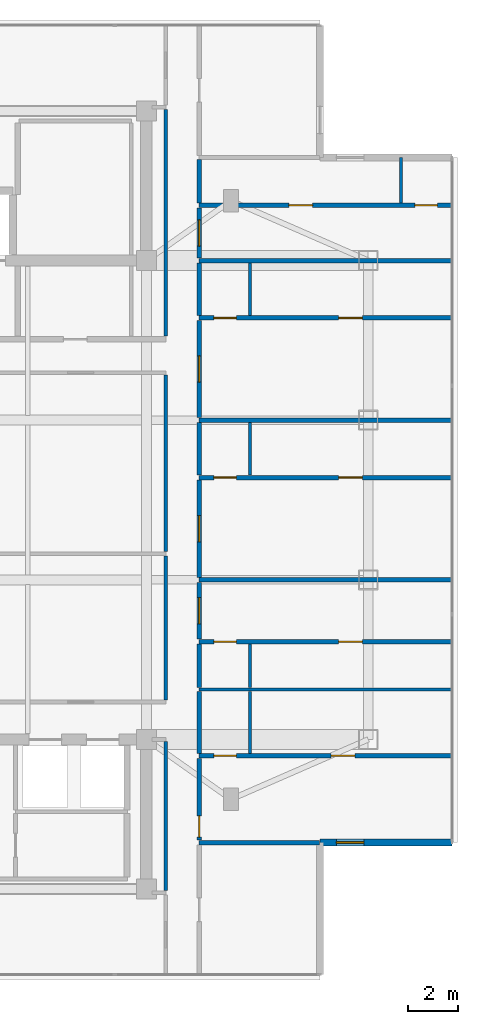
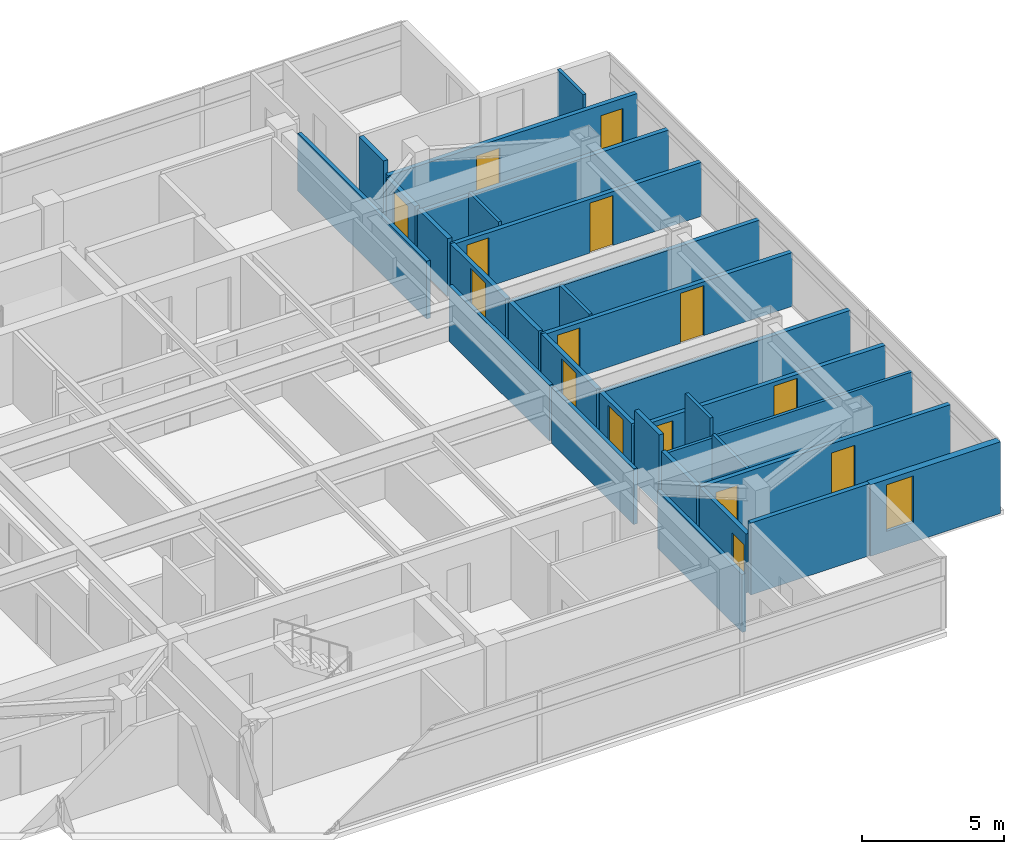
# One storey, part 10 of 14: 30 walls, 15 doors, 1 window, 16 openings.
"""IFC4 building model written with IfcOpenShell, lengths in metres."""

from ifc_helpers import new_model, si_unit, direction, frame, frame_2d, origin, place, context, subcontext, project, spatial, rectangle, extrude, material, layer, layer_set, type_object, element, fill, save


model = new_model("IFC4")

# Units and contexts
model_context = context("Model", 3, precision=1e-05, world=origin(), true_north=direction((0.0, 1.0)))
body_context = subcontext(model_context, "Body", "Model", "MODEL_VIEW")
ifc_project = project(units=[si_unit("LENGTHUNIT", "METRE"), si_unit("AREAUNIT", "SQUARE_METRE"), si_unit("VOLUMEUNIT", "CUBIC_METRE"), si_unit("PLANEANGLEUNIT", "RADIAN"), si_unit("MASSUNIT", "GRAM", prefix="KILO")], contexts=[model_context])

# Site, building, storey
site_placement = place(None, origin())
site = spatial("IfcSite", under=ifc_project, at=site_placement, CompositionType="ELEMENT")
building_placement = place(site_placement, origin())
building = spatial("IfcBuilding", under=site, at=building_placement, Name="Mirazonda Arch Towers", CompositionType="ELEMENT")
storey_placement = place(building_placement, frame((0.0, 0.0, 239.199951171875)))
storey = spatial("IfcBuildingStorey", under=building, at=storey_placement, Name="L68", CompositionType="ELEMENT", Elevation=239.199951171875)

# Wall, opening, window
ifc_material_1 = material(Name="Precast Concrete C40/50", Category="concrete")
ifc_layer_1 = layer(ifc_material_1, 0.280029296875, Name="WALL-EXT-WALL-280")
ifc_layer_set_1 = layer_set([ifc_layer_1], Name="Precast Concrete C40/50")
wall_type_1 = type_object("IfcWallType", Name="WALL-EXT-WALL-280", PredefinedType="SOLIDWALL", material=ifc_layer_set_1)
wall_1_placement = place(storey_placement, frame((36.969970703125, 14.261962890625, 0.0), z_axis=(0.0, 0.0, 1.0), x_axis=(1.0, 0.0, 0.0)))
wall_1 = element("IfcWall", 1, at=wall_1_placement, inside=storey, type_object=wall_type_1, Name="L68 T1 Corner Notch Return Wall WL-L68-T1-CSE1", PredefinedType="SOLIDWALL", context=body_context, shape_type="SweptSolid", body=[
    extrude(rectangle(XDim=5.2900390625, YDim=0.280029296875, at=frame_2d((2.64501953125, 0.0))), origin(), (0.0, 0.0, 1.0), 3.080078125),
])
opening_1_placement = place(wall_1_placement, frame((0.64990234375, 0.0, 0.85009765625)))
opening_1 = element("IfcOpeningElement", 2, at=opening_1_placement, cuts=wall_1, Name="Opening WN-108", PredefinedType="OPENING", context=body_context, shape_type="SweptSolid", body=[
    extrude(rectangle(XDim=1.10009765625, YDim=2.0, at=frame_2d((0.550048828125, 1.0))), frame((0.0, 0.14990234375, 0.0), z_axis=(0.0, -1.0, 0.0), x_axis=(1.0, 0.0, 0.0)), (0.0, 0.0, 1.0), 0.300048828125),
])
ifc_material_2 = material(Name="Insulated Low-E Solar Glass", Category="glass")
window_type = type_object("IfcWindowType", Name="WIN-NOTCH-1100x2000", PartitioningType="SINGLE_PANEL", PredefinedType="WINDOW", material=ifc_material_2)
window_placement = place(opening_1_placement, origin())
window = element("IfcWindow", 3, at=window_placement, inside=storey, type_object=window_type, Name="L68 Punched Facade Window WN-L68-T1-CSE1", OverallHeight=2.0, OverallWidth=1.10009765625, PartitioningType="SINGLE_PANEL", PredefinedType="WINDOW", context=body_context, shape_type="SweptSolid", body=[
    extrude(rectangle(XDim=1.10009765625, YDim=2.0, at=frame_2d((0.550048828125, 1.0))), frame((0.0, 0.030029296875, 0.0), z_axis=(0.0, -1.0, 0.0), x_axis=(1.0, 0.0, 0.0)), (0.0, 0.0, 1.0), 0.06005859375),
])
fill(opening_1, window)

# Walls
ifc_material_3 = material(Name="Fire-Rated Gypsum Stud Partition")
ifc_layer_2 = layer(ifc_material_3, 0.14990234375, Name="WALL-PART-CORR-150")
ifc_layer_set_2 = layer_set([ifc_layer_2], Name="Fire-Rated Gypsum Stud Partition")
wall_type_2 = type_object("IfcWallType", Name="WALL-PART-CORR-150", PredefinedType="PARTITIONING", material=ifc_layer_set_2)
wall_2_placement = place(storey_placement, frame((30.780029296875, 12.3349609375, 0.0), z_axis=(0.0, 0.0, 1.0), x_axis=(0.0, 1.0, 0.0)))
element("IfcWall", 4, at=wall_2_placement, inside=storey, type_object=wall_type_2, Name="L68 Interior Partition 087", PredefinedType="PARTITIONING", context=body_context, shape_type="SweptSolid", body=[
    extrude(rectangle(XDim=5.97998046875, YDim=0.14990234375, at=frame_2d((2.989990234375, 0.0))), origin(), (0.0, 0.0, 1.0), 2.491943359375),
])
wall_3_placement = place(storey_placement, frame((30.780029296875, 19.985107421875, 0.0), z_axis=(0.0, 0.0, 1.0), x_axis=(0.0, 1.0, 0.0)))
element("IfcWall", 5, at=wall_3_placement, inside=storey, type_object=wall_type_2, Name="L68 Interior Partition 088", PredefinedType="PARTITIONING", context=body_context, shape_type="SweptSolid", body=[
    extrude(rectangle(XDim=5.769775390625, YDim=0.14990234375, at=frame_2d((2.884765625, 0.0))), origin(), (0.0, 0.0, 1.0), 2.39599609375),
])
wall_4_placement = place(storey_placement, frame((30.780029296875, 25.925048828125, 0.0), z_axis=(0.0, 0.0, 1.0), x_axis=(0.0, 1.0, 0.0)))
element("IfcWall", 6, at=wall_4_placement, inside=storey, type_object=wall_type_2, Name="L68 Interior Partition 089", PredefinedType="PARTITIONING", context=body_context, shape_type="SweptSolid", body=[
    extrude(rectangle(XDim=7.08984375, YDim=0.14990234375, at=frame_2d((3.544921875, 0.0))), origin(), (0.0, 0.0, 1.0), 2.39599609375),
])
wall_5_placement = place(storey_placement, frame((30.780029296875, 34.570068359375, 0.0), z_axis=(0.0, 0.0, 1.0), x_axis=(0.0, 1.0, 0.0)))
element("IfcWall", 7, at=wall_5_placement, inside=storey, type_object=wall_type_2, Name="L68 Interior Partition 090", PredefinedType="PARTITIONING", context=body_context, shape_type="SweptSolid", body=[
    extrude(rectangle(XDim=9.094970703125, YDim=0.14990234375, at=frame_2d((4.54736328125, 0.0))), origin(), (0.0, 0.0, 1.0), 2.491943359375),
])
ifc_material_4 = material(Name="Fire-Rated Gypsum Twin-Stud Assembly")
ifc_layer_3 = layer(ifc_material_4, 0.179931640625, Name="WALL-PART-DEMISE-180")
ifc_layer_set_3 = layer_set([ifc_layer_3], Name="Fire-Rated Gypsum Twin-Stud Assembly")
wall_type_3 = type_object("IfcWallType", Name="WALL-PART-DEMISE-180", PredefinedType="PARTITIONING", material=ifc_layer_set_3)
wall_6_placement = place(storey_placement, frame((32.1201171875, 14.261962890625, 0.0), z_axis=(0.0, 0.0, 1.0), x_axis=(1.0, 0.0, 0.0)))
element("IfcWall", 8, at=wall_6_placement, inside=storey, type_object=wall_type_3, Name="L68 Interior Partition 006", PredefinedType="PARTITIONING", context=body_context, shape_type="SweptSolid", body=[
    extrude(rectangle(XDim=4.829833984375, YDim=0.179931640625, at=frame_2d((2.4150390625, 0.0))), origin(), (0.0, 0.0, 1.0), 3.10009765625),
])

# Wall, openings, doors
wall_7_placement = place(storey_placement, frame((32.1201171875, 17.739990234375, 0.0), z_axis=(0.0, 0.0, 1.0), x_axis=(1.0, 0.0, 0.0)))
wall_7 = element("IfcWall", 9, at=wall_7_placement, inside=storey, type_object=wall_type_3, Name="L68 Interior Partition 010", PredefinedType="PARTITIONING", context=body_context, shape_type="SweptSolid", body=[
    extrude(rectangle(XDim=10.139892578125, YDim=0.179931640625, at=frame_2d((5.06982421875, 0.0))), origin(), (0.0, 0.0, 1.0), 2.54296875),
])
opening_2_placement = place(wall_7_placement, frame((5.294921875, 0.0, 0.0)))
opening_2 = element("IfcOpeningElement", 10, at=opening_2_placement, cuts=wall_7, Name="Opening DR-104", PredefinedType="OPENING", context=body_context, shape_type="SweptSolid", body=[
    extrude(rectangle(XDim=0.949951171875, YDim=2.14990234375, at=frame_2d((0.47509765625, 1.074951171875))), frame((0.0, 0.099853515625, 0.0), z_axis=(0.0, -1.0, 0.0), x_axis=(1.0, 0.0, 0.0)), (0.0, 0.0, 1.0), 0.199951171875),
])
opening_3_placement = place(wall_7_placement, frame((0.590087890625, 0.0, 0.0)))
opening_3 = element("IfcOpeningElement", 11, at=opening_3_placement, cuts=wall_7, Name="Opening DR-120", PredefinedType="OPENING", context=body_context, shape_type="SweptSolid", body=[
    extrude(rectangle(XDim=0.89990234375, YDim=2.10009765625, at=frame_2d((0.449951171875, 1.050048828125))), frame((0.0, 0.099853515625, 0.0), z_axis=(0.0, -1.0, 0.0), x_axis=(1.0, 0.0, 0.0)), (0.0, 0.0, 1.0), 0.199951171875),
])
ifc_material_5 = material(Name="Architectural Brushed Steel S355", Category="steel")
door_type_1 = type_object("IfcDoorType", Name="DOOR-ROOM-950", OperationType="NOTDEFINED", PredefinedType="DOOR", material=ifc_material_5)
door_1_placement = place(opening_2_placement, origin())
door_1 = element("IfcDoor", 12, at=door_1_placement, inside=storey, type_object=door_type_1, Name="L68 Studio 1 Galley Kitchen Door", OperationType="SINGLE_SWING_RIGHT", OverallHeight=2.14990234375, OverallWidth=0.949951171875, PredefinedType="DOOR", context=body_context, shape_type="SweptSolid", body=[
    extrude(rectangle(XDim=0.949951171875, YDim=2.14990234375, at=frame_2d((0.47509765625, 1.074951171875))), frame((0.0, 0.02490234375, 0.0), z_axis=(0.0, -1.0, 0.0), x_axis=(1.0, 0.0, 0.0)), (0.0, 0.0, 1.0), 0.050048828125),
])
fill(opening_2, door_1)
door_type_2 = type_object("IfcDoorType", Name="DOOR-WC-900", OperationType="NOTDEFINED", PredefinedType="DOOR", material=ifc_material_5)
door_2_placement = place(opening_3_placement, origin())
door_2 = element("IfcDoor", 13, at=door_2_placement, inside=storey, type_object=door_type_2, Name="L68 Studio 1 Bathroom Door", OperationType="SINGLE_SWING_LEFT", OverallHeight=2.10009765625, OverallWidth=0.89990234375, PredefinedType="DOOR", context=body_context, shape_type="SweptSolid", body=[
    extrude(rectangle(XDim=0.89990234375, YDim=2.10009765625, at=frame_2d((0.449951171875, 1.050048828125))), frame((0.0, 0.02490234375, 0.0), z_axis=(0.0, -1.0, 0.0), x_axis=(1.0, 0.0, 0.0)), (0.0, 0.0, 1.0), 0.050048828125),
])
fill(opening_3, door_2)

wall_8_placement = place(storey_placement, frame((32.1201171875, 22.320068359375, 0.0), z_axis=(0.0, 0.0, 1.0), x_axis=(1.0, 0.0, 0.0)))
wall_8 = element("IfcWall", 14, at=wall_8_placement, inside=storey, type_object=wall_type_3, Name="L68 Interior Partition 016", PredefinedType="PARTITIONING", context=body_context, shape_type="SweptSolid", body=[
    extrude(rectangle(XDim=10.139892578125, YDim=0.179931640625, at=frame_2d((5.06982421875, 0.0))), origin(), (0.0, 0.0, 1.0), 2.319091796875),
])
opening_4_placement = place(wall_8_placement, frame((5.594970703125, 0.0, 0.0)))
opening_4 = element("IfcOpeningElement", 15, at=opening_4_placement, cuts=wall_8, Name="Opening DR-104", PredefinedType="OPENING", context=body_context, shape_type="SweptSolid", body=[
    extrude(rectangle(XDim=0.949951171875, YDim=2.14990234375, at=frame_2d((0.47509765625, 1.074951171875))), frame((0.0, 0.099853515625, 0.0), z_axis=(0.0, -1.0, 0.0), x_axis=(1.0, 0.0, 0.0)), (0.0, 0.0, 1.0), 0.199951171875),
])
opening_5_placement = place(wall_8_placement, frame((0.590087890625, 0.0, 0.0)))
opening_5 = element("IfcOpeningElement", 16, at=opening_5_placement, cuts=wall_8, Name="Opening DR-120", PredefinedType="OPENING", context=body_context, shape_type="SweptSolid", body=[
    extrude(rectangle(XDim=0.89990234375, YDim=2.10009765625, at=frame_2d((0.449951171875, 1.050048828125))), frame((0.0, 0.099853515625, 0.0), z_axis=(0.0, -1.0, 0.0), x_axis=(1.0, 0.0, 0.0)), (0.0, 0.0, 1.0), 0.199951171875),
])
door_3_placement = place(opening_4_placement, origin())
door_3 = element("IfcDoor", 17, at=door_3_placement, inside=storey, type_object=door_type_1, Name="L68 Studio 2 Galley Kitchen Door", OperationType="SINGLE_SWING_LEFT", OverallHeight=2.14990234375, OverallWidth=0.949951171875, PredefinedType="DOOR", context=body_context, shape_type="SweptSolid", body=[
    extrude(rectangle(XDim=0.949951171875, YDim=2.14990234375, at=frame_2d((0.47509765625, 1.074951171875))), frame((0.0, 0.02490234375, 0.0), z_axis=(0.0, -1.0, 0.0), x_axis=(1.0, 0.0, 0.0)), (0.0, 0.0, 1.0), 0.050048828125),
])
fill(opening_4, door_3)
door_4_placement = place(opening_5_placement, origin())
door_4 = element("IfcDoor", 18, at=door_4_placement, inside=storey, type_object=door_type_2, Name="L68 Studio 2 Bathroom Door", OperationType="SINGLE_SWING_RIGHT", OverallHeight=2.10009765625, OverallWidth=0.89990234375, PredefinedType="DOOR", context=body_context, shape_type="SweptSolid", body=[
    extrude(rectangle(XDim=0.89990234375, YDim=2.10009765625, at=frame_2d((0.449951171875, 1.050048828125))), frame((0.0, 0.02490234375, 0.0), z_axis=(0.0, -1.0, 0.0), x_axis=(1.0, 0.0, 0.0)), (0.0, 0.0, 1.0), 0.050048828125),
])
fill(opening_5, door_4)

# Wall
wall_9_placement = place(storey_placement, frame((32.1201171875, 24.800048828125, 0.0), z_axis=(0.0, 0.0, 1.0), x_axis=(1.0, 0.0, 0.0)))
element("IfcWall", 19, at=wall_9_placement, inside=storey, type_object=wall_type_3, Name="L68 Interior Partition 018", PredefinedType="PARTITIONING", context=body_context, shape_type="SweptSolid", body=[
    extrude(rectangle(XDim=10.139892578125, YDim=0.179931640625, at=frame_2d((5.06982421875, 0.0))), origin(), (0.0, 0.0, 1.0), 2.319091796875),
])

# Wall, openings, doors
wall_10_placement = place(storey_placement, frame((32.1201171875, 28.89990234375, 0.0), z_axis=(0.0, 0.0, 1.0), x_axis=(1.0, 0.0, 0.0)))
wall_10 = element("IfcWall", 20, at=wall_10_placement, inside=storey, type_object=wall_type_3, Name="L68 Interior Partition 021", PredefinedType="PARTITIONING", context=body_context, shape_type="SweptSolid", body=[
    extrude(rectangle(XDim=10.139892578125, YDim=0.179931640625, at=frame_2d((5.06982421875, 0.0))), origin(), (0.0, 0.0, 1.0), 2.319091796875),
])
opening_6_placement = place(wall_10_placement, frame((5.594970703125, 0.0, 0.0)))
opening_6 = element("IfcOpeningElement", 21, at=opening_6_placement, cuts=wall_10, Name="Opening DR-104", PredefinedType="OPENING", context=body_context, shape_type="SweptSolid", body=[
    extrude(rectangle(XDim=0.949951171875, YDim=2.14990234375, at=frame_2d((0.47509765625, 1.074951171875))), frame((0.0, 0.099853515625, 0.0), z_axis=(0.0, -1.0, 0.0), x_axis=(1.0, 0.0, 0.0)), (0.0, 0.0, 1.0), 0.199951171875),
])
opening_7_placement = place(wall_10_placement, frame((0.590087890625, 0.0, 0.0)))
opening_7 = element("IfcOpeningElement", 22, at=opening_7_placement, cuts=wall_10, Name="Opening DR-120", PredefinedType="OPENING", context=body_context, shape_type="SweptSolid", body=[
    extrude(rectangle(XDim=0.89990234375, YDim=2.10009765625, at=frame_2d((0.449951171875, 1.050048828125))), frame((0.0, 0.099853515625, 0.0), z_axis=(0.0, -1.0, 0.0), x_axis=(1.0, 0.0, 0.0)), (0.0, 0.0, 1.0), 0.199951171875),
])
door_5_placement = place(opening_6_placement, origin())
door_5 = element("IfcDoor", 23, at=door_5_placement, inside=storey, type_object=door_type_1, Name="L68 Studio 3 Galley Kitchen Door", OperationType="SINGLE_SWING_RIGHT", OverallHeight=2.14990234375, OverallWidth=0.949951171875, PredefinedType="DOOR", context=body_context, shape_type="SweptSolid", body=[
    extrude(rectangle(XDim=0.949951171875, YDim=2.14990234375, at=frame_2d((0.47509765625, 1.074951171875))), frame((0.0, 0.02490234375, 0.0), z_axis=(0.0, -1.0, 0.0), x_axis=(1.0, 0.0, 0.0)), (0.0, 0.0, 1.0), 0.050048828125),
])
fill(opening_6, door_5)
door_6_placement = place(opening_7_placement, origin())
door_6 = element("IfcDoor", 24, at=door_6_placement, inside=storey, type_object=door_type_2, Name="L68 Studio 3 Bathroom Door", OperationType="SINGLE_SWING_LEFT", OverallHeight=2.10009765625, OverallWidth=0.89990234375, PredefinedType="DOOR", context=body_context, shape_type="SweptSolid", body=[
    extrude(rectangle(XDim=0.89990234375, YDim=2.10009765625, at=frame_2d((0.449951171875, 1.050048828125))), frame((0.0, 0.02490234375, 0.0), z_axis=(0.0, -1.0, 0.0), x_axis=(1.0, 0.0, 0.0)), (0.0, 0.0, 1.0), 0.050048828125),
])
fill(opening_7, door_6)

# Wall
wall_11_placement = place(storey_placement, frame((32.1201171875, 31.199951171875, 0.0), z_axis=(0.0, 0.0, 1.0), x_axis=(1.0, 0.0, 0.0)))
element("IfcWall", 25, at=wall_11_placement, inside=storey, type_object=wall_type_3, Name="L68 Interior Partition 023", PredefinedType="PARTITIONING", context=body_context, shape_type="SweptSolid", body=[
    extrude(rectangle(XDim=10.139892578125, YDim=0.179931640625, at=frame_2d((5.06982421875, 0.0))), origin(), (0.0, 0.0, 1.0), 2.319091796875),
])

# Wall, openings, doors
wall_12_placement = place(storey_placement, frame((32.1201171875, 35.300048828125, 0.0), z_axis=(0.0, 0.0, 1.0), x_axis=(1.0, 0.0, 0.0)))
wall_12 = element("IfcWall", 26, at=wall_12_placement, inside=storey, type_object=wall_type_3, Name="L68 Interior Partition 028", PredefinedType="PARTITIONING", context=body_context, shape_type="SweptSolid", body=[
    extrude(rectangle(XDim=10.139892578125, YDim=0.179931640625, at=frame_2d((5.06982421875, 0.0))), origin(), (0.0, 0.0, 1.0), 2.319091796875),
])
opening_8_placement = place(wall_12_placement, frame((5.594970703125, 0.0, 0.0)))
opening_8 = element("IfcOpeningElement", 27, at=opening_8_placement, cuts=wall_12, Name="Opening DR-104", PredefinedType="OPENING", context=body_context, shape_type="SweptSolid", body=[
    extrude(rectangle(XDim=0.949951171875, YDim=2.14990234375, at=frame_2d((0.47509765625, 1.074951171875))), frame((0.0, 0.099853515625, 0.0), z_axis=(0.0, -1.0, 0.0), x_axis=(1.0, 0.0, 0.0)), (0.0, 0.0, 1.0), 0.199951171875),
])
opening_9_placement = place(wall_12_placement, frame((0.590087890625, 0.0, 0.0)))
opening_9 = element("IfcOpeningElement", 28, at=opening_9_placement, cuts=wall_12, Name="Opening DR-120", PredefinedType="OPENING", context=body_context, shape_type="SweptSolid", body=[
    extrude(rectangle(XDim=0.89990234375, YDim=2.10009765625, at=frame_2d((0.449951171875, 1.050048828125))), frame((0.0, 0.099853515625, 0.0), z_axis=(0.0, -1.0, 0.0), x_axis=(1.0, 0.0, 0.0)), (0.0, 0.0, 1.0), 0.199951171875),
])
door_7_placement = place(opening_8_placement, origin())
door_7 = element("IfcDoor", 29, at=door_7_placement, inside=storey, type_object=door_type_1, Name="L68 Studio 4 Galley Kitchen Door", OperationType="SINGLE_SWING_LEFT", OverallHeight=2.14990234375, OverallWidth=0.949951171875, PredefinedType="DOOR", context=body_context, shape_type="SweptSolid", body=[
    extrude(rectangle(XDim=0.949951171875, YDim=2.14990234375, at=frame_2d((0.47509765625, 1.074951171875))), frame((0.0, 0.02490234375, 0.0), z_axis=(0.0, -1.0, 0.0), x_axis=(1.0, 0.0, 0.0)), (0.0, 0.0, 1.0), 0.050048828125),
])
fill(opening_8, door_7)
door_8_placement = place(opening_9_placement, origin())
door_8 = element("IfcDoor", 30, at=door_8_placement, inside=storey, type_object=door_type_2, Name="L68 Studio 4 Bathroom Door", OperationType="SINGLE_SWING_RIGHT", OverallHeight=2.10009765625, OverallWidth=0.89990234375, PredefinedType="DOOR", context=body_context, shape_type="SweptSolid", body=[
    extrude(rectangle(XDim=0.89990234375, YDim=2.10009765625, at=frame_2d((0.449951171875, 1.050048828125))), frame((0.0, 0.02490234375, 0.0), z_axis=(0.0, -1.0, 0.0), x_axis=(1.0, 0.0, 0.0)), (0.0, 0.0, 1.0), 0.050048828125),
])
fill(opening_9, door_8)

# Wall
wall_13_placement = place(storey_placement, frame((32.1201171875, 37.60009765625, 0.0), z_axis=(0.0, 0.0, 1.0), x_axis=(1.0, 0.0, 0.0)))
element("IfcWall", 31, at=wall_13_placement, inside=storey, type_object=wall_type_3, Name="L68 Interior Partition 030", PredefinedType="PARTITIONING", context=body_context, shape_type="SweptSolid", body=[
    extrude(rectangle(XDim=10.139892578125, YDim=0.179931640625, at=frame_2d((5.06982421875, 0.0))), origin(), (0.0, 0.0, 1.0), 2.319091796875),
])

# Wall, openings, doors
wall_14_placement = place(storey_placement, frame((32.1201171875, 39.818115234375, 0.0), z_axis=(0.0, 0.0, 1.0), x_axis=(1.0, 0.0, 0.0)))
wall_14 = element("IfcWall", 32, at=wall_14_placement, inside=storey, type_object=wall_type_3, Name="L68 Interior Partition 032", PredefinedType="PARTITIONING", context=body_context, shape_type="SweptSolid", body=[
    extrude(rectangle(XDim=10.139892578125, YDim=0.179931640625, at=frame_2d((5.06982421875, 0.0))), origin(), (0.0, 0.0, 1.0), 2.54296875),
])
opening_10_placement = place(wall_14_placement, frame((3.594970703125, 0.0, 0.0)))
opening_10 = element("IfcOpeningElement", 33, at=opening_10_placement, cuts=wall_14, Name="Opening DR-104", PredefinedType="OPENING", context=body_context, shape_type="SweptSolid", body=[
    extrude(rectangle(XDim=0.949951171875, YDim=2.14990234375, at=frame_2d((0.47509765625, 1.074951171875))), frame((0.0, 0.099853515625, 0.0), z_axis=(0.0, -1.0, 0.0), x_axis=(1.0, 0.0, 0.0)), (0.0, 0.0, 1.0), 0.199951171875),
])
opening_11_placement = place(wall_14_placement, frame((8.64990234375, 0.0, 0.0)))
opening_11 = element("IfcOpeningElement", 34, at=opening_11_placement, cuts=wall_14, Name="Opening DR-120", PredefinedType="OPENING", context=body_context, shape_type="SweptSolid", body=[
    extrude(rectangle(XDim=0.89990234375, YDim=2.10009765625, at=frame_2d((0.449951171875, 1.050048828125))), frame((0.0, 0.099853515625, 0.0), z_axis=(0.0, -1.0, 0.0), x_axis=(1.0, 0.0, 0.0)), (0.0, 0.0, 1.0), 0.199951171875),
])
door_9_placement = place(opening_10_placement, origin())
door_9 = element("IfcDoor", 35, at=door_9_placement, inside=storey, type_object=door_type_1, Name="L68 Studio 5 Galley Kitchen Door", OperationType="SINGLE_SWING_RIGHT", OverallHeight=2.14990234375, OverallWidth=0.949951171875, PredefinedType="DOOR", context=body_context, shape_type="SweptSolid", body=[
    extrude(rectangle(XDim=0.949951171875, YDim=2.14990234375, at=frame_2d((0.47509765625, 1.074951171875))), frame((0.0, 0.02490234375, 0.0), z_axis=(0.0, -1.0, 0.0), x_axis=(1.0, 0.0, 0.0)), (0.0, 0.0, 1.0), 0.050048828125),
])
fill(opening_10, door_9)
door_10_placement = place(opening_11_placement, origin())
door_10 = element("IfcDoor", 36, at=door_10_placement, inside=storey, type_object=door_type_2, Name="L68 Studio 5 Bathroom Door", OperationType="SINGLE_SWING_LEFT", OverallHeight=2.10009765625, OverallWidth=0.89990234375, PredefinedType="DOOR", context=body_context, shape_type="SweptSolid", body=[
    extrude(rectangle(XDim=0.89990234375, YDim=2.10009765625, at=frame_2d((0.449951171875, 1.050048828125))), frame((0.0, 0.02490234375, 0.0), z_axis=(0.0, -1.0, 0.0), x_axis=(1.0, 0.0, 0.0)), (0.0, 0.0, 1.0), 0.050048828125),
])
fill(opening_11, door_10)

# Wall, opening, door
wall_15_placement = place(storey_placement, frame((32.1201171875, 14.362060546875, 0.0), z_axis=(0.0, 0.0, 1.0), x_axis=(0.0, 1.0, 0.0)))
wall_15 = element("IfcWall", 37, at=wall_15_placement, inside=storey, type_object=wall_type_3, Name="L68 Interior Partition 093", PredefinedType="PARTITIONING", context=body_context, shape_type="SweptSolid", body=[
    extrude(rectangle(XDim=3.27783203125, YDim=0.179931640625, at=frame_2d((1.638916015625, 0.0))), origin(), (0.0, 0.0, 1.0), 2.54296875),
])
opening_12_placement = place(wall_15_placement, frame((0.1201171875, 0.0, 0.0)))
opening_12 = element("IfcOpeningElement", 38, at=opening_12_placement, cuts=wall_15, Name="Opening DR-128", PredefinedType="OPENING", context=body_context, shape_type="SweptSolid", body=[
    extrude(rectangle(XDim=0.85009765625, YDim=2.010009765625, at=frame_2d((0.425048828125, 1.0048828125))), frame((0.0, 0.099853515625, 0.0), z_axis=(0.0, -1.0, 0.0), x_axis=(1.0, 0.0, 0.0)), (0.0, 0.0, 1.0), 0.199951171875),
])
door_type_3 = type_object("IfcDoorType", Name="DOOR-RISER-FD60-850", OperationType="NOTDEFINED", PredefinedType="DOOR", material=ifc_material_5)
door_11_placement = place(opening_12_placement, origin())
door_11 = element("IfcDoor", 39, at=door_11_placement, inside=storey, type_object=door_type_3, Name="L68 Studio Apartment 1 Living Salon Door", OperationType="SINGLE_SWING_LEFT", OverallHeight=2.010009765625, OverallWidth=0.85009765625, PredefinedType="DOOR", context=body_context, shape_type="SweptSolid", body=[
    extrude(rectangle(XDim=0.85009765625, YDim=2.010009765625, at=frame_2d((0.425048828125, 1.0048828125))), frame((0.0, 0.02490234375, 0.0), z_axis=(0.0, -1.0, 0.0), x_axis=(1.0, 0.0, 0.0)), (0.0, 0.0, 1.0), 0.050048828125),
])
fill(opening_12, door_11)

# Walls
wall_16_placement = place(storey_placement, frame((32.1201171875, 17.840087890625, 0.0), z_axis=(0.0, 0.0, 1.0), x_axis=(0.0, 1.0, 0.0)))
element("IfcWall", 40, at=wall_16_placement, inside=storey, type_object=wall_type_3, Name="L68 Interior Partition 094", PredefinedType="PARTITIONING", context=body_context, shape_type="SweptSolid", body=[
    extrude(rectangle(XDim=2.4873046875, YDim=0.179931640625, at=frame_2d((1.24365234375, 0.0))), origin(), (0.0, 0.0, 1.0), 2.491943359375),
])
wall_17_placement = place(storey_placement, frame((32.1201171875, 20.472412109375, 0.0), z_axis=(0.0, 0.0, 1.0), x_axis=(0.0, 1.0, 0.0)))
element("IfcWall", 41, at=wall_17_placement, inside=storey, type_object=wall_type_3, Name="L68 Interior Partition 095", PredefinedType="PARTITIONING", context=body_context, shape_type="SweptSolid", body=[
    extrude(rectangle(XDim=1.74755859375, YDim=0.179931640625, at=frame_2d((0.873779296875, 0.0))), origin(), (0.0, 0.0, 1.0), 3.10009765625),
])

# Wall, opening, door
wall_18_placement = place(storey_placement, frame((32.1201171875, 22.419921875, 0.0), z_axis=(0.0, 0.0, 1.0), x_axis=(0.0, 1.0, 0.0)))
wall_18 = element("IfcWall", 42, at=wall_18_placement, inside=storey, type_object=wall_type_3, Name="L68 Interior Partition 096", PredefinedType="PARTITIONING", context=body_context, shape_type="SweptSolid", body=[
    extrude(rectangle(XDim=2.280029296875, YDim=0.179931640625, at=frame_2d((1.14013671875, 0.0))), origin(), (0.0, 0.0, 1.0), 2.39599609375),
])
opening_13_placement = place(wall_18_placement, frame((0.614990234375, 0.0, 0.0)))
opening_13 = element("IfcOpeningElement", 43, at=opening_13_placement, cuts=wall_18, Name="Opening DR-121", PredefinedType="OPENING", context=body_context, shape_type="SweptSolid", body=[
    extrude(rectangle(XDim=1.050048828125, YDim=2.199951171875, at=frame_2d((0.52490234375, 1.10009765625))), frame((0.0, 0.099853515625, 0.0), z_axis=(0.0, -1.0, 0.0), x_axis=(1.0, 0.0, 0.0)), (0.0, 0.0, 1.0), 0.199951171875),
])
door_type_4 = type_object("IfcDoorType", Name="DOOR-SUITE-FD60-1050", OperationType="NOTDEFINED", PredefinedType="DOOR", material=ifc_material_5)
door_12_placement = place(opening_13_placement, origin())
door_12 = element("IfcDoor", 44, at=door_12_placement, inside=storey, type_object=door_type_4, Name="L68 Studio Apartment 2 Living Salon Door", OperationType="SINGLE_SWING_RIGHT", OverallHeight=2.199951171875, OverallWidth=1.050048828125, PredefinedType="DOOR", context=body_context, shape_type="SweptSolid", body=[
    extrude(rectangle(XDim=1.050048828125, YDim=2.199951171875, at=frame_2d((0.52490234375, 1.10009765625))), frame((0.0, 0.02490234375, 0.0), z_axis=(0.0, -1.0, 0.0), x_axis=(1.0, 0.0, 0.0)), (0.0, 0.0, 1.0), 0.050048828125),
])
fill(opening_13, door_12)

wall_19_placement = place(storey_placement, frame((32.1201171875, 24.89990234375, 0.0), z_axis=(0.0, 0.0, 1.0), x_axis=(0.0, 1.0, 0.0)))
wall_19 = element("IfcWall", 45, at=wall_19_placement, inside=storey, type_object=wall_type_3, Name="L68 Interior Partition 097", PredefinedType="PARTITIONING", context=body_context, shape_type="SweptSolid", body=[
    extrude(rectangle(XDim=3.900146484375, YDim=0.179931640625, at=frame_2d((1.9501953125, 0.0))), origin(), (0.0, 0.0, 1.0), 2.39599609375),
])
opening_14_placement = place(wall_19_placement, frame((1.425048828125, 0.0, 0.0)))
opening_14 = element("IfcOpeningElement", 46, at=opening_14_placement, cuts=wall_19, Name="Opening DR-121", PredefinedType="OPENING", context=body_context, shape_type="SweptSolid", body=[
    extrude(rectangle(XDim=1.050048828125, YDim=2.199951171875, at=frame_2d((0.52490234375, 1.10009765625))), frame((0.0, 0.099853515625, 0.0), z_axis=(0.0, -1.0, 0.0), x_axis=(1.0, 0.0, 0.0)), (0.0, 0.0, 1.0), 0.199951171875),
])
door_13_placement = place(opening_14_placement, origin())
door_13 = element("IfcDoor", 47, at=door_13_placement, inside=storey, type_object=door_type_4, Name="L68 Studio Apartment 3 Living Salon Door", OperationType="SINGLE_SWING_LEFT", OverallHeight=2.199951171875, OverallWidth=1.050048828125, PredefinedType="DOOR", context=body_context, shape_type="SweptSolid", body=[
    extrude(rectangle(XDim=1.050048828125, YDim=2.199951171875, at=frame_2d((0.52490234375, 1.10009765625))), frame((0.0, 0.02490234375, 0.0), z_axis=(0.0, -1.0, 0.0), x_axis=(1.0, 0.0, 0.0)), (0.0, 0.0, 1.0), 0.050048828125),
])
fill(opening_14, door_13)

# Wall
wall_20_placement = place(storey_placement, frame((32.1201171875, 29.0, 0.0), z_axis=(0.0, 0.0, 1.0), x_axis=(0.0, 1.0, 0.0)))
element("IfcWall", 48, at=wall_20_placement, inside=storey, type_object=wall_type_3, Name="L68 Interior Partition 098", PredefinedType="PARTITIONING", context=body_context, shape_type="SweptSolid", body=[
    extrude(rectangle(XDim=2.10009765625, YDim=0.179931640625, at=frame_2d((1.050048828125, 0.0))), origin(), (0.0, 0.0, 1.0), 2.39599609375),
])

# Wall, opening, door
wall_21_placement = place(storey_placement, frame((32.1201171875, 31.300048828125, 0.0), z_axis=(0.0, 0.0, 1.0), x_axis=(0.0, 1.0, 0.0)))
wall_21 = element("IfcWall", 49, at=wall_21_placement, inside=storey, type_object=wall_type_3, Name="L68 Interior Partition 099", PredefinedType="PARTITIONING", context=body_context, shape_type="SweptSolid", body=[
    extrude(rectangle(XDim=3.89990234375, YDim=0.179931640625, at=frame_2d((1.949951171875, 0.0))), origin(), (0.0, 0.0, 1.0), 2.39599609375),
])
opening_15_placement = place(wall_21_placement, frame((1.425048828125, 0.0, 0.0)))
opening_15 = element("IfcOpeningElement", 50, at=opening_15_placement, cuts=wall_21, Name="Opening DR-121", PredefinedType="OPENING", context=body_context, shape_type="SweptSolid", body=[
    extrude(rectangle(XDim=1.050048828125, YDim=2.199951171875, at=frame_2d((0.52490234375, 1.10009765625))), frame((0.0, 0.099853515625, 0.0), z_axis=(0.0, -1.0, 0.0), x_axis=(1.0, 0.0, 0.0)), (0.0, 0.0, 1.0), 0.199951171875),
])
door_14_placement = place(opening_15_placement, origin())
door_14 = element("IfcDoor", 51, at=door_14_placement, inside=storey, type_object=door_type_4, Name="L68 Studio Apartment 4 Living Salon Door", OperationType="SINGLE_SWING_RIGHT", OverallHeight=2.199951171875, OverallWidth=1.050048828125, PredefinedType="DOOR", context=body_context, shape_type="SweptSolid", body=[
    extrude(rectangle(XDim=1.050048828125, YDim=2.199951171875, at=frame_2d((0.52490234375, 1.10009765625))), frame((0.0, 0.02490234375, 0.0), z_axis=(0.0, -1.0, 0.0), x_axis=(1.0, 0.0, 0.0)), (0.0, 0.0, 1.0), 0.050048828125),
])
fill(opening_15, door_14)

# Wall
wall_22_placement = place(storey_placement, frame((32.1201171875, 35.39990234375, 0.0), z_axis=(0.0, 0.0, 1.0), x_axis=(0.0, 1.0, 0.0)))
element("IfcWall", 52, at=wall_22_placement, inside=storey, type_object=wall_type_3, Name="L68 Interior Partition 100", PredefinedType="PARTITIONING", context=body_context, shape_type="SweptSolid", body=[
    extrude(rectangle(XDim=2.10009765625, YDim=0.179931640625, at=frame_2d((1.050048828125, 0.0))), origin(), (0.0, 0.0, 1.0), 2.491943359375),
])

# Wall, opening, door
wall_23_placement = place(storey_placement, frame((32.1201171875, 37.699951171875, 0.0), z_axis=(0.0, 0.0, 1.0), x_axis=(0.0, 1.0, 0.0)))
wall_23 = element("IfcWall", 53, at=wall_23_placement, inside=storey, type_object=wall_type_3, Name="L68 Interior Partition 101", PredefinedType="PARTITIONING", context=body_context, shape_type="SweptSolid", body=[
    extrude(rectangle(XDim=2.01806640625, YDim=0.179931640625, at=frame_2d((1.009033203125, 0.0))), origin(), (0.0, 0.0, 1.0), 2.491943359375),
])
opening_16_placement = place(wall_23_placement, frame((0.48388671875, 0.0, 0.0)))
opening_16 = element("IfcOpeningElement", 54, at=opening_16_placement, cuts=wall_23, Name="Opening DR-121", PredefinedType="OPENING", context=body_context, shape_type="SweptSolid", body=[
    extrude(rectangle(XDim=1.050048828125, YDim=2.199951171875, at=frame_2d((0.52490234375, 1.10009765625))), frame((0.0, 0.099853515625, 0.0), z_axis=(0.0, -1.0, 0.0), x_axis=(1.0, 0.0, 0.0)), (0.0, 0.0, 1.0), 0.199951171875),
])
door_15_placement = place(opening_16_placement, origin())
door_15 = element("IfcDoor", 55, at=door_15_placement, inside=storey, type_object=door_type_4, Name="L68 Studio Apartment 5 Living Salon Door", OperationType="SINGLE_SWING_LEFT", OverallHeight=2.199951171875, OverallWidth=1.050048828125, PredefinedType="DOOR", context=body_context, shape_type="SweptSolid", body=[
    extrude(rectangle(XDim=1.050048828125, YDim=2.199951171875, at=frame_2d((0.52490234375, 1.10009765625))), frame((0.0, 0.02490234375, 0.0), z_axis=(0.0, -1.0, 0.0), x_axis=(1.0, 0.0, 0.0)), (0.0, 0.0, 1.0), 0.050048828125),
])
fill(opening_16, door_15)

# Walls
wall_24_placement = place(storey_placement, frame((32.1201171875, 39.91796875, 0.0), z_axis=(0.0, 0.0, 1.0), x_axis=(0.0, 1.0, 0.0)))
element("IfcWall", 56, at=wall_24_placement, inside=storey, type_object=wall_type_3, Name="L68 Interior Partition 102", PredefinedType="PARTITIONING", context=body_context, shape_type="SweptSolid", body=[
    extrude(rectangle(XDim=1.735107421875, YDim=0.179931640625, at=frame_2d((0.86767578125, 0.0))), origin(), (0.0, 0.0, 1.0), 3.10009765625),
])
ifc_material_6 = material(Name="Acoustic Fire-Rated Gypsum Partition")
ifc_layer_4 = layer(ifc_material_6, 0.125, Name="WALL-PART-UNIT-125")
ifc_layer_set_4 = layer_set([ifc_layer_4], Name="Acoustic Fire-Rated Gypsum Partition")
wall_type_4 = type_object("IfcWallType", Name="WALL-PART-UNIT-125", PredefinedType="PARTITIONING", material=ifc_layer_set_4)
wall_25_placement = place(storey_placement, frame((32.1201171875, 20.39990234375, 0.0), z_axis=(0.0, 0.0, 1.0), x_axis=(1.0, 0.0, 0.0)))
element("IfcWall", 57, at=wall_25_placement, inside=storey, type_object=wall_type_4, Name="L68 Interior Partition 015", PredefinedType="PARTITIONING", context=body_context, shape_type="SweptSolid", body=[
    extrude(rectangle(XDim=10.139892578125, YDim=0.125, at=frame_2d((5.06982421875, 0.0))), origin(), (0.0, 0.0, 1.0), 2.319091796875),
])
wall_26_placement = place(storey_placement, frame((34.159912109375, 17.840087890625, 0.0), z_axis=(0.0, 0.0, 1.0), x_axis=(0.0, 1.0, 0.0)))
element("IfcWall", 58, at=wall_26_placement, inside=storey, type_object=wall_type_4, Name="L68 Interior Partition 104", PredefinedType="PARTITIONING", context=body_context, shape_type="SweptSolid", body=[
    extrude(rectangle(XDim=2.4873046875, YDim=0.125, at=frame_2d((1.24365234375, 0.0))), origin(), (0.0, 0.0, 1.0), 2.491943359375),
])
wall_27_placement = place(storey_placement, frame((34.159912109375, 20.472412109375, 0.0), z_axis=(0.0, 0.0, 1.0), x_axis=(0.0, 1.0, 0.0)))
element("IfcWall", 59, at=wall_27_placement, inside=storey, type_object=wall_type_4, Name="L68 Interior Partition 105", PredefinedType="PARTITIONING", context=body_context, shape_type="SweptSolid", body=[
    extrude(rectangle(XDim=1.74755859375, YDim=0.125, at=frame_2d((0.873779296875, 0.0))), origin(), (0.0, 0.0, 1.0), 3.10009765625),
])
wall_28_placement = place(storey_placement, frame((34.159912109375, 29.0, 0.0), z_axis=(0.0, 0.0, 1.0), x_axis=(0.0, 1.0, 0.0)))
element("IfcWall", 60, at=wall_28_placement, inside=storey, type_object=wall_type_4, Name="L68 Interior Partition 106", PredefinedType="PARTITIONING", context=body_context, shape_type="SweptSolid", body=[
    extrude(rectangle(XDim=2.10009765625, YDim=0.125, at=frame_2d((1.050048828125, 0.0))), origin(), (0.0, 0.0, 1.0), 2.39599609375),
])
wall_29_placement = place(storey_placement, frame((34.159912109375, 35.39990234375, 0.0), z_axis=(0.0, 0.0, 1.0), x_axis=(0.0, 1.0, 0.0)))
element("IfcWall", 61, at=wall_29_placement, inside=storey, type_object=wall_type_4, Name="L68 Interior Partition 107", PredefinedType="PARTITIONING", context=body_context, shape_type="SweptSolid", body=[
    extrude(rectangle(XDim=2.10009765625, YDim=0.125, at=frame_2d((1.050048828125, 0.0))), origin(), (0.0, 0.0, 1.0), 2.491943359375),
])
wall_30_placement = place(storey_placement, frame((40.219970703125, 39.91796875, 0.0), z_axis=(0.0, 0.0, 1.0), x_axis=(0.0, 1.0, 0.0)))
element("IfcWall", 62, at=wall_30_placement, inside=storey, type_object=wall_type_4, Name="L68 Interior Partition 108", PredefinedType="PARTITIONING", context=body_context, shape_type="SweptSolid", body=[
    extrude(rectangle(XDim=1.820068359375, YDim=0.125, at=frame_2d((0.91015625, 0.0))), origin(), (0.0, 0.0, 1.0), 3.10009765625),
])

save(model, "model.ifc")
